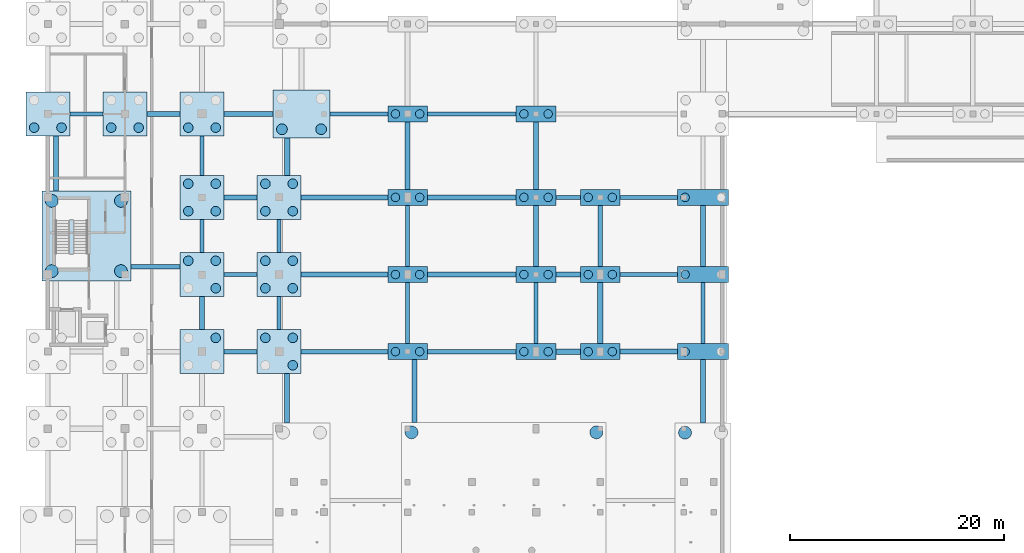
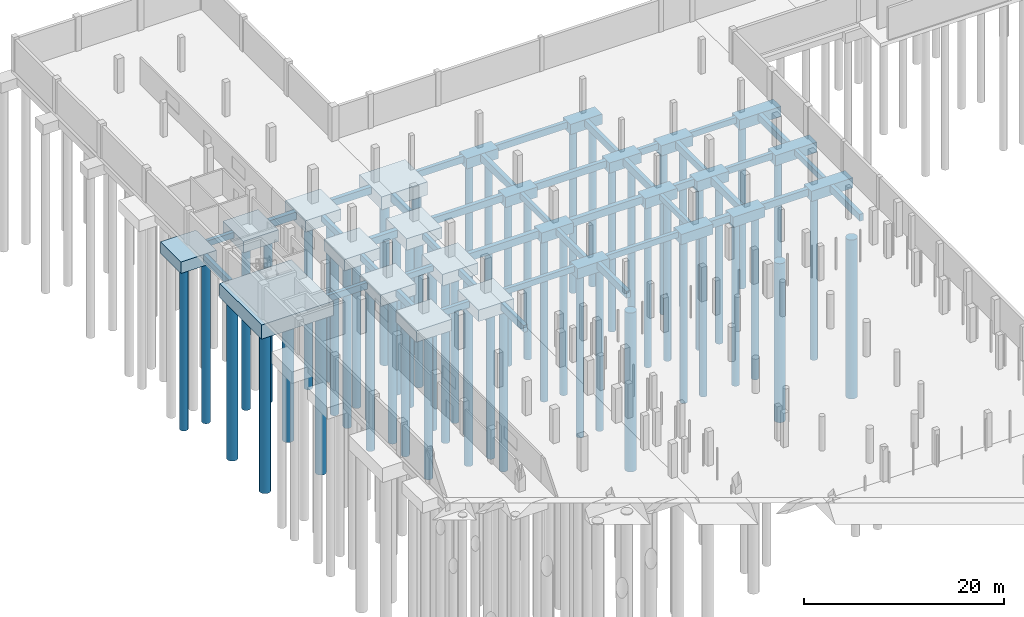
# One storey, part 3 of 34: 66 footings, 59 piles.
"""IFC4 building model written with IfcOpenShell, lengths in metres."""

from ifc_helpers import new_model, si_unit, direction, frame, origin, origin_2d, place, context, subcontext, project, spatial, rectangle, circle, extrude, material, material_profile, profile_set, type_object, element, save


model = new_model("IFC4")

# Units and contexts
model_context = context("Model", 3, precision=1e-05, world=origin(), true_north=direction((0.0, 1.0)))
body_context = subcontext(model_context, "Body", "Model", "MODEL_VIEW")
ifc_project = project(units=[si_unit("LENGTHUNIT", "METRE"), si_unit("AREAUNIT", "SQUARE_METRE"), si_unit("VOLUMEUNIT", "CUBIC_METRE"), si_unit("PLANEANGLEUNIT", "RADIAN"), si_unit("MASSUNIT", "GRAM", prefix="KILO")], contexts=[model_context])

# Site, building, storey
site_placement = place(None, origin())
site = spatial("IfcSite", under=ifc_project, at=site_placement, CompositionType="ELEMENT")
building_placement = place(site_placement, origin())
building = spatial("IfcBuilding", under=site, at=building_placement, Name="Vinh Khe Railworks Police Headquarters", CompositionType="ELEMENT")
storey_placement = place(building_placement, frame((0.0, 0.0, -4.199951171875)))
storey = spatial("IfcBuildingStorey", under=building, at=storey_placement, Name="B1", CompositionType="ELEMENT", Elevation=-4.199951171875)

# Piles
ifc_material = material(Name="Concrete C35/45 (B35)", Category="concrete")
ifc_material_profile_1 = material_profile(ifc_material, circle(Radius=0.5, at=origin_2d()), Name="BORED PILE D1000")
ifc_profile_set_1 = profile_set([ifc_material_profile_1], Name="Concrete C35/45 (B35)")
pile_type_1 = type_object("IfcPileType", Name="Bored Pile D1000", PredefinedType="BORED", material=ifc_profile_set_1)
for number, where, z_axis, x_axis, name in (
    (1, (22.469970703125, 94.570068359375, -1.949951171875), (0.0, 0.0, -1.0), (1.0, 0.0, 0.0), "Bored Pile BP100-173"),
    (2, (26.1298828125, 94.570068359375, -1.949951171875), (0.0, 0.0, -1.0), (1.0, 0.0, 0.0), "Bored Pile BP100-175"),
):
    element("IfcPile", number, at=place(storey_placement, frame(where, z_axis=z_axis, x_axis=x_axis)), inside=storey, type_object=pile_type_1, Name=name, PredefinedType="BORED", context=body_context, shape_type="SweptSolid", body=[
        extrude(circle(Radius=0.5, at=origin_2d()), origin(), (0.0, 0.0, 1.0), 19.60009765625),
    ])
ifc_material_profile_2 = material_profile(ifc_material, circle(Radius=0.60009765625, at=origin_2d()), Name="BORED PILE D1200")
ifc_profile_set_2 = profile_set([ifc_material_profile_2], Name="Concrete C35/45 (B35)")
pile_type_2 = type_object("IfcPileType", Name="Bored Pile D1200", PredefinedType="BORED", material=ifc_profile_set_2)
for number, where, z_axis, x_axis, name in (
    (3, (0.969970703125, 81.320068359375, -2.10009765625), (0.0, 0.0, -1.0), (1.0, 0.0, 0.0), "Bored Pile BP120-031"),
    (4, (0.969970703125, 87.8798828125, -2.10009765625), (0.0, 0.0, -1.0), (1.0, 0.0, 0.0), "Bored Pile BP120-032"),
    (5, (7.429931640625, 81.320068359375, -2.10009765625), (0.0, 0.0, -1.0), (1.0, 0.0, 0.0), "Bored Pile BP120-033"),
    (6, (7.429931640625, 87.8798828125, -2.10009765625), (0.0, 0.0, -1.0), (1.0, 0.0, 0.0), "Bored Pile BP120-034"),
    (7, (34.570068359375, 66.258056640625, -2.10009765625), (0.0, 0.0, -1.0), (1.0, 0.0, 0.0), "Bored Pile BP120-194"),
    (8, (51.830078125, 66.258056640625, -2.10009765625), (0.0, 0.0, -1.0), (1.0, 0.0, 0.0), "Bored Pile BP120-196"),
    (9, (60.1201171875, 66.22998046875, -2.10009765625), (0.0, 0.0, -1.0), (1.0, 0.0, 0.0), "Bored Pile BP120-242"),
):
    element("IfcPile", number, at=place(storey_placement, frame(where, z_axis=z_axis, x_axis=x_axis)), inside=storey, type_object=pile_type_2, Name=name, PredefinedType="BORED", context=body_context, shape_type="SweptSolid", body=[
        extrude(circle(Radius=0.60009765625, at=origin_2d()), origin(), (0.0, 0.0, 1.0), 19.449951171875),
    ])
ifc_material_profile_3 = material_profile(ifc_material, circle(Radius=0.39990234375, at=origin_2d()), Name="BORED PILE D800")
ifc_profile_set_3 = profile_set([ifc_material_profile_3], Name="Concrete C35/45 (B35)")
pile_type_3 = type_object("IfcPileType", Name="Bored Pile D800", PredefinedType="BORED", material=ifc_profile_set_3)
for number, where, z_axis, x_axis, name in (
    (10, (33.070068359375, 73.800048828125, -1.60009765625), (0.0, 0.0, -1.0), (1.0, 0.0, 0.0), "Bored Pile BP80-197"),
    (11, (35.330078125, 73.800048828125, -1.60009765625), (0.0, 0.0, -1.0), (1.0, 0.0, 0.0), "Bored Pile BP80-198"),
    (12, (33.070068359375, 81.0, -1.60009765625), (0.0, 0.0, -1.0), (1.0, 0.0, 0.0), "Bored Pile BP80-199"),
    (13, (35.330078125, 81.0, -1.60009765625), (0.0, 0.0, -1.0), (1.0, 0.0, 0.0), "Bored Pile BP80-200"),
    (14, (33.070068359375, 88.199951171875, -1.60009765625), (0.0, 0.0, -1.0), (1.0, 0.0, 0.0), "Bored Pile BP80-201"),
    (15, (35.330078125, 88.199951171875, -1.60009765625), (0.0, 0.0, -1.0), (1.0, 0.0, 0.0), "Bored Pile BP80-202"),
    (16, (33.070068359375, 96.0, -1.60009765625), (0.0, 0.0, -1.0), (1.0, 0.0, 0.0), "Bored Pile BP80-203"),
    (17, (35.330078125, 96.0, -1.60009765625), (0.0, 0.0, -1.0), (1.0, 0.0, 0.0), "Bored Pile BP80-204"),
    (18, (45.070068359375, 73.800048828125, -1.60009765625), (0.0, 0.0, -1.0), (1.0, 0.0, 0.0), "Bored Pile BP80-213"),
    (19, (47.330078125, 73.800048828125, -1.60009765625), (0.0, 0.0, -1.0), (1.0, 0.0, 0.0), "Bored Pile BP80-214"),
    (20, (45.070068359375, 81.0, -1.60009765625), (0.0, 0.0, -1.0), (1.0, 0.0, 0.0), "Bored Pile BP80-215"),
    (21, (47.330078125, 81.0, -1.60009765625), (0.0, 0.0, -1.0), (1.0, 0.0, 0.0), "Bored Pile BP80-216"),
    (22, (45.070068359375, 88.199951171875, -1.60009765625), (0.0, 0.0, -1.0), (1.0, 0.0, 0.0), "Bored Pile BP80-217"),
    (23, (47.330078125, 88.199951171875, -1.60009765625), (0.0, 0.0, -1.0), (1.0, 0.0, 0.0), "Bored Pile BP80-218"),
    (24, (45.070068359375, 96.0, -1.60009765625), (0.0, 0.0, -1.0), (1.0, 0.0, 0.0), "Bored Pile BP80-219"),
    (25, (47.330078125, 96.0, -1.60009765625), (0.0, 0.0, -1.0), (1.0, 0.0, 0.0), "Bored Pile BP80-220"),
    (26, (51.070068359375, 73.800048828125, -1.60009765625), (0.0, 0.0, -1.0), (1.0, 0.0, 0.0), "Bored Pile BP80-227"),
    (27, (53.330078125, 73.800048828125, -1.60009765625), (0.0, 0.0, -1.0), (1.0, 0.0, 0.0), "Bored Pile BP80-228"),
    (28, (51.070068359375, 81.0, -1.60009765625), (0.0, 0.0, -1.0), (1.0, 0.0, 0.0), "Bored Pile BP80-229"),
    (29, (53.330078125, 81.0, -1.60009765625), (0.0, 0.0, -1.0), (1.0, 0.0, 0.0), "Bored Pile BP80-230"),
    (30, (51.070068359375, 88.199951171875, -1.60009765625), (0.0, 0.0, -1.0), (1.0, 0.0, 0.0), "Bored Pile BP80-231"),
    (31, (53.330078125, 88.199951171875, -1.60009765625), (0.0, 0.0, -1.0), (1.0, 0.0, 0.0), "Bored Pile BP80-232"),
    (32, (60.1201171875, 73.800048828125, -1.60009765625), (0.0, 0.0, -1.0), (1.0, 0.0, 0.0), "Bored Pile BP80-245"),
    (33, (60.1201171875, 81.0, -1.60009765625), (0.0, 0.0, -1.0), (1.0, 0.0, 0.0), "Bored Pile BP80-247"),
    (34, (60.1201171875, 88.199951171875, -1.60009765625), (0.0, 0.0, -1.0), (1.0, 0.0, 0.0), "Bored Pile BP80-249"),
):
    element("IfcPile", number, at=place(storey_placement, frame(where, z_axis=z_axis, x_axis=x_axis)), inside=storey, type_object=pile_type_3, Name=name, PredefinedType="BORED", context=body_context, shape_type="SweptSolid", body=[
        extrude(circle(Radius=0.39990234375, at=origin_2d()), origin(), (0.0, 0.0, 1.0), 19.949951171875),
    ])
ifc_material_profile_4 = material_profile(ifc_material, circle(Radius=0.449951171875, at=origin_2d()), Name="BORED PILE D900")
ifc_profile_set_4 = profile_set([ifc_material_profile_4], Name="Concrete C35/45 (B35)")
pile_type_4 = type_object("IfcPileType", Name="Bored Pile D900", PredefinedType="BORED", material=ifc_profile_set_4)
for number, where, z_axis, x_axis, name in (
    (35, (-0.679931640625, 94.719970703125, -1.75), (0.0, 0.0, -1.0), (1.0, 0.0, 0.0), "Bored Pile BP90-035"),
    (36, (1.8798828125, 94.719970703125, -1.75), (0.0, 0.0, -1.0), (1.0, 0.0, 0.0), "Bored Pile BP90-037"),
    (37, (6.52001953125, 94.719970703125, -1.75), (0.0, 0.0, -1.0), (1.0, 0.0, 0.0), "Bored Pile BP90-075"),
    (38, (9.080078125, 94.719970703125, -1.75), (0.0, 0.0, -1.0), (1.0, 0.0, 0.0), "Bored Pile BP90-077"),
    (39, (16.280029296875, 75.080078125, -1.75), (0.0, 0.0, -1.0), (1.0, 0.0, 0.0), "Bored Pile BP90-122"),
    (40, (13.719970703125, 82.280029296875, -1.75), (0.0, 0.0, -1.0), (1.0, 0.0, 0.0), "Bored Pile BP90-124"),
    (41, (16.280029296875, 79.719970703125, -1.75), (0.0, 0.0, -1.0), (1.0, 0.0, 0.0), "Bored Pile BP90-125"),
    (42, (16.280029296875, 82.280029296875, -1.75), (0.0, 0.0, -1.0), (1.0, 0.0, 0.0), "Bored Pile BP90-126"),
    (43, (13.719970703125, 86.919921875, -1.75), (0.0, 0.0, -1.0), (1.0, 0.0, 0.0), "Bored Pile BP90-127"),
    (44, (13.719970703125, 89.47998046875, -1.75), (0.0, 0.0, -1.0), (1.0, 0.0, 0.0), "Bored Pile BP90-128"),
    (45, (16.280029296875, 86.919921875, -1.75), (0.0, 0.0, -1.0), (1.0, 0.0, 0.0), "Bored Pile BP90-129"),
    (46, (16.280029296875, 89.47998046875, -1.75), (0.0, 0.0, -1.0), (1.0, 0.0, 0.0), "Bored Pile BP90-130"),
    (47, (13.719970703125, 94.719970703125, -1.75), (0.0, 0.0, -1.0), (1.0, 0.0, 0.0), "Bored Pile BP90-131"),
    (48, (16.280029296875, 94.719970703125, -1.75), (0.0, 0.0, -1.0), (1.0, 0.0, 0.0), "Bored Pile BP90-133"),
    (49, (20.919921875, 75.080078125, -1.75), (0.0, 0.0, -1.0), (1.0, 0.0, 0.0), "Bored Pile BP90-162"),
    (50, (23.47998046875, 72.52001953125, -1.75), (0.0, 0.0, -1.0), (1.0, 0.0, 0.0), "Bored Pile BP90-163"),
    (51, (23.47998046875, 75.080078125, -1.75), (0.0, 0.0, -1.0), (1.0, 0.0, 0.0), "Bored Pile BP90-164"),
    (52, (20.919921875, 79.719970703125, -1.75), (0.0, 0.0, -1.0), (1.0, 0.0, 0.0), "Bored Pile BP90-165"),
    (53, (20.919921875, 82.280029296875, -1.75), (0.0, 0.0, -1.0), (1.0, 0.0, 0.0), "Bored Pile BP90-166"),
    (54, (23.47998046875, 79.719970703125, -1.75), (0.0, 0.0, -1.0), (1.0, 0.0, 0.0), "Bored Pile BP90-167"),
    (55, (23.47998046875, 82.280029296875, -1.75), (0.0, 0.0, -1.0), (1.0, 0.0, 0.0), "Bored Pile BP90-168"),
    (56, (20.919921875, 86.919921875, -1.75), (0.0, 0.0, -1.0), (1.0, 0.0, 0.0), "Bored Pile BP90-169"),
    (57, (20.919921875, 89.47998046875, -1.75), (0.0, 0.0, -1.0), (1.0, 0.0, 0.0), "Bored Pile BP90-170"),
    (58, (23.47998046875, 86.919921875, -1.75), (0.0, 0.0, -1.0), (1.0, 0.0, 0.0), "Bored Pile BP90-171"),
    (59, (23.47998046875, 89.47998046875, -1.75), (0.0, 0.0, -1.0), (1.0, 0.0, 0.0), "Bored Pile BP90-172"),
):
    element("IfcPile", number, at=place(storey_placement, frame(where, z_axis=z_axis, x_axis=x_axis)), inside=storey, type_object=pile_type_4, Name=name, PredefinedType="BORED", context=body_context, shape_type="SweptSolid", body=[
        extrude(circle(Radius=0.449951171875, at=origin_2d()), origin(), (0.0, 0.0, 1.0), 19.800048828125),
    ])

# Footings
ifc_material_profile_5 = material_profile(ifc_material, rectangle(XDim=0.39990234375, YDim=0.699951171875, at=origin_2d()), Name="RC 400x700")
ifc_profile_set_5 = profile_set([ifc_material_profile_5], Name="Concrete C35/45 (B35)")
footing_type_1 = type_object("IfcFootingType", Name="Ground Tie Beam 400x700", PredefinedType="FOOTING_BEAM", material=ifc_profile_set_5)
footing_1_placement = place(storey_placement, frame((2.64990234375, 96.0, -0.800048828125), z_axis=(1.0, 0.0, 0.0), x_axis=(0.0, 1.0, 0.0)))
element("IfcFooting", 60, at=footing_1_placement, inside=storey, type_object=footing_type_1, Name="Ground Tie Beam FTG-GB-B1-X019", PredefinedType="FOOTING_BEAM", context=body_context, shape_type="SweptSolid", body=[
    extrude(rectangle(XDim=0.39990234375, YDim=0.699951171875, at=origin_2d()), origin(), (0.0, 0.0, 1.0), 3.10009765625),
])
footing_2_placement = place(storey_placement, frame((17.050048828125, 81.0, -0.800048828125), z_axis=(1.0, 0.0, 0.0), x_axis=(0.0, 1.0, 0.0)))
element("IfcFooting", 61, at=footing_2_placement, inside=storey, type_object=footing_type_1, Name="Ground Tie Beam FTG-GB-B1-X069", PredefinedType="FOOTING_BEAM", context=body_context, shape_type="SweptSolid", body=[
    extrude(rectangle(XDim=0.39990234375, YDim=0.699951171875, at=origin_2d()), origin(), (0.0, 0.0, 1.0), 3.099853515625),
])
footing_3_placement = place(storey_placement, frame((15.0, 90.25, -0.800048828125), z_axis=(0.0, 1.0, 0.0), x_axis=(-1.0, 0.0, 0.0)))
element("IfcFooting", 62, at=footing_3_placement, inside=storey, type_object=footing_type_1, Name="Ground Tie Beam FTG-GB-B1-Y072", PredefinedType="FOOTING_BEAM", context=body_context, shape_type="SweptSolid", body=[
    extrude(rectangle(XDim=0.39990234375, YDim=0.699951171875, at=origin_2d()), origin(), (0.0, 0.0, 1.0), 3.699951171875),
])
footing_4_placement = place(storey_placement, frame((24.25, 73.800048828125, -0.800048828125), z_axis=(1.0, 0.0, 0.0), x_axis=(0.0, 1.0, 0.0)))
element("IfcFooting", 63, at=footing_4_placement, inside=storey, type_object=footing_type_1, Name="Ground Tie Beam FTG-GB-B1-X090", PredefinedType="FOOTING_BEAM", context=body_context, shape_type="SweptSolid", body=[
    extrude(rectangle(XDim=0.39990234375, YDim=0.699951171875, at=origin_2d()), origin(), (0.0, 0.0, 1.0), 8.10009765625),
])
footing_5_placement = place(storey_placement, frame((22.199951171875, 83.050048828125, -0.800048828125), z_axis=(0.0, 1.0, 0.0), x_axis=(-1.0, 0.0, 0.0)))
element("IfcFooting", 64, at=footing_5_placement, inside=storey, type_object=footing_type_1, Name="Ground Tie Beam FTG-GB-B1-Y093", PredefinedType="FOOTING_BEAM", context=body_context, shape_type="SweptSolid", body=[
    extrude(rectangle(XDim=0.39990234375, YDim=0.699951171875, at=origin_2d()), origin(), (0.0, 0.0, 1.0), 3.099853515625),
])
footing_6_placement = place(storey_placement, frame((36.050048828125, 73.800048828125, -0.800048828125), z_axis=(1.0, 0.0, 0.0), x_axis=(0.0, 1.0, 0.0)))
element("IfcFooting", 65, at=footing_6_placement, inside=storey, type_object=footing_type_1, Name="Ground Tie Beam FTG-GB-B1-X107", PredefinedType="FOOTING_BEAM", context=body_context, shape_type="SweptSolid", body=[
    extrude(rectangle(XDim=0.39990234375, YDim=0.699951171875, at=origin_2d()), origin(), (0.0, 0.0, 1.0), 8.300048828125),
])
for number, where, z_axis, x_axis, name in (
    (66, (34.199951171875, 81.75, -0.800048828125), (0.0, 1.0, 0.0), (-1.0, 0.0, 0.0), "Ground Tie Beam FTG-GB-B1-Y110"),
    (67, (46.199951171875, 74.550048828125, -0.800048828125), (0.0, 1.0, 0.0), (-1.0, 0.0, 0.0), "Ground Tie Beam FTG-GB-B1-Y123"),
):
    element("IfcFooting", number, at=place(storey_placement, frame(where, z_axis=z_axis, x_axis=x_axis)), inside=storey, type_object=footing_type_1, Name=name, PredefinedType="FOOTING_BEAM", context=body_context, shape_type="SweptSolid", body=[
        extrude(rectangle(XDim=0.39990234375, YDim=0.699951171875, at=origin_2d()), origin(), (0.0, 0.0, 1.0), 5.699951171875),
    ])
footing_7_placement = place(storey_placement, frame((54.050048828125, 88.199951171875, -0.800048828125), z_axis=(1.0, 0.0, 0.0), x_axis=(0.0, 1.0, 0.0)))
element("IfcFooting", 68, at=footing_7_placement, inside=storey, type_object=footing_type_1, Name="Ground Tie Beam FTG-GB-B1-X138", PredefinedType="FOOTING_BEAM", context=body_context, shape_type="SweptSolid", body=[
    extrude(rectangle(XDim=0.39990234375, YDim=0.699951171875, at=origin_2d()), origin(), (0.0, 0.0, 1.0), 5.349853515625),
])
footing_8_placement = place(storey_placement, frame((61.800048828125, 74.550048828125, -0.800048828125), z_axis=(0.0, 1.0, 0.0), x_axis=(-1.0, 0.0, 0.0)))
element("IfcFooting", 69, at=footing_8_placement, inside=storey, type_object=footing_type_1, Name="Ground Tie Beam FTG-GB-B1-Y142", PredefinedType="FOOTING_BEAM", context=body_context, shape_type="SweptSolid", body=[
    extrude(rectangle(XDim=0.39990234375, YDim=0.699951171875, at=origin_2d()), origin(), (0.0, 0.0, 1.0), 5.699951171875),
])
ifc_material_profile_6 = material_profile(ifc_material, rectangle(XDim=0.39990234375, YDim=0.800048828125, at=origin_2d()), Name="RC 400x800")
ifc_profile_set_6 = profile_set([ifc_material_profile_6], Name="Concrete C35/45 (B35)")
footing_type_2 = type_object("IfcFootingType", Name="Ground Tie Beam 400x800", PredefinedType="FOOTING_BEAM", material=ifc_profile_set_6)
footing_9_placement = place(storey_placement, frame((8.35009765625, 81.72509765625, -0.85009765625), z_axis=(1.0, 0.0, 0.0), x_axis=(0.0, 1.0, 0.0)))
element("IfcFooting", 70, at=footing_9_placement, inside=storey, type_object=footing_type_2, Name="Ground Tie Beam FTG-GB-B1-X017", PredefinedType="FOOTING_BEAM", context=body_context, shape_type="SweptSolid", body=[
    extrude(rectangle(XDim=0.39990234375, YDim=0.800048828125, at=origin_2d()), origin(), (0.0, 0.0, 1.0), 4.599853515625),
])
for number, where, z_axis, x_axis, name in (
    (71, (17.050048828125, 73.800048828125, -0.85009765625), (1.0, 0.0, 0.0), (0.0, 1.0, 0.0), "Ground Tie Beam FTG-GB-B1-X067"),
    (72, (15.0, 83.050048828125, -0.85009765625), (0.0, 1.0, 0.0), (-1.0, 0.0, 0.0), "Ground Tie Beam FTG-GB-B1-Y070"),
    (73, (22.199951171875, 75.85009765625, -0.85009765625), (0.0, 1.0, 0.0), (-1.0, 0.0, 0.0), "Ground Tie Beam FTG-GB-B1-Y091"),
):
    element("IfcFooting", number, at=place(storey_placement, frame(where, z_axis=z_axis, x_axis=x_axis)), inside=storey, type_object=footing_type_2, Name=name, PredefinedType="FOOTING_BEAM", context=body_context, shape_type="SweptSolid", body=[
        extrude(rectangle(XDim=0.39990234375, YDim=0.800048828125, at=origin_2d()), origin(), (0.0, 0.0, 1.0), 3.099853515625),
    ])
footing_10_placement = place(storey_placement, frame((26.949951171875, 96.0, -0.85009765625), z_axis=(1.0, 0.0, 0.0), x_axis=(0.0, 1.0, 0.0)))
element("IfcFooting", 74, at=footing_10_placement, inside=storey, type_object=footing_type_2, Name="Ground Tie Beam FTG-GB-B1-X096", PredefinedType="FOOTING_BEAM", context=body_context, shape_type="SweptSolid", body=[
    extrude(rectangle(XDim=0.39990234375, YDim=0.800048828125, at=origin_2d()), origin(), (0.0, 0.0, 1.0), 5.400146484375),
])
footing_11_placement = place(storey_placement, frame((34.199951171875, 74.550048828125, -0.85009765625), z_axis=(0.0, 1.0, 0.0), x_axis=(-1.0, 0.0, 0.0)))
element("IfcFooting", 75, at=footing_11_placement, inside=storey, type_object=footing_type_2, Name="Ground Tie Beam FTG-GB-B1-Y108", PredefinedType="FOOTING_BEAM", context=body_context, shape_type="SweptSolid", body=[
    extrude(rectangle(XDim=0.39990234375, YDim=0.800048828125, at=origin_2d()), origin(), (0.0, 0.0, 1.0), 5.699951171875),
])
footing_12_placement = place(storey_placement, frame((36.050048828125, 96.0, -0.85009765625), z_axis=(1.0, 0.0, 0.0), x_axis=(0.0, 1.0, 0.0)))
element("IfcFooting", 76, at=footing_12_placement, inside=storey, type_object=footing_type_2, Name="Ground Tie Beam FTG-GB-B1-X113", PredefinedType="FOOTING_BEAM", context=body_context, shape_type="SweptSolid", body=[
    extrude(rectangle(XDim=0.39990234375, YDim=0.800048828125, at=origin_2d()), origin(), (0.0, 0.0, 1.0), 8.300048828125),
])
footing_13_placement = place(storey_placement, frame((48.050048828125, 88.199951171875, -0.85009765625), z_axis=(1.0, 0.0, 0.0), x_axis=(0.0, 1.0, 0.0)))
element("IfcFooting", 77, at=footing_13_placement, inside=storey, type_object=footing_type_2, Name="Ground Tie Beam FTG-GB-B1-X126", PredefinedType="FOOTING_BEAM", context=body_context, shape_type="SweptSolid", body=[
    extrude(rectangle(XDim=0.39990234375, YDim=0.800048828125, at=origin_2d()), origin(), (0.0, 0.0, 1.0), 2.300048828125),
])
footing_14_placement = place(storey_placement, frame((54.050048828125, 81.0, -0.85009765625), z_axis=(1.0, 0.0, 0.0), x_axis=(0.0, 1.0, 0.0)))
element("IfcFooting", 78, at=footing_14_placement, inside=storey, type_object=footing_type_2, Name="Ground Tie Beam FTG-GB-B1-X136", PredefinedType="FOOTING_BEAM", context=body_context, shape_type="SweptSolid", body=[
    extrude(rectangle(XDim=0.39990234375, YDim=0.800048828125, at=origin_2d()), origin(), (0.0, 0.0, 1.0), 5.349853515625),
])
ifc_material_profile_7 = material_profile(ifc_material, rectangle(XDim=0.449951171875, YDim=0.85009765625, at=origin_2d()), Name="RC 450x850")
ifc_profile_set_7 = profile_set([ifc_material_profile_7], Name="Concrete C35/45 (B35)")
footing_type_3 = type_object("IfcFootingType", Name="Ground Tie Beam 450x850", PredefinedType="FOOTING_BEAM", material=ifc_profile_set_7)
footing_15_placement = place(storey_placement, frame((1.35009765625, 88.800048828125, -0.875), z_axis=(0.0, 1.0, 0.0), x_axis=(-1.0, 0.0, 0.0)))
element("IfcFooting", 79, at=footing_15_placement, inside=storey, type_object=footing_type_3, Name="Ground Tie Beam FTG-GB-B1-Y018", PredefinedType="FOOTING_BEAM", context=body_context, shape_type="SweptSolid", body=[
    extrude(rectangle(XDim=0.449951171875, YDim=0.85009765625, at=origin_2d()), origin(), (0.0, 0.0, 1.0), 5.14990234375),
])
footing_16_placement = place(storey_placement, frame((15.0, 75.85009765625, -0.875), z_axis=(0.0, 1.0, 0.0), x_axis=(-1.0, 0.0, 0.0)))
element("IfcFooting", 80, at=footing_16_placement, inside=storey, type_object=footing_type_3, Name="Ground Tie Beam FTG-GB-B1-Y068", PredefinedType="FOOTING_BEAM", context=body_context, shape_type="SweptSolid", body=[
    extrude(rectangle(XDim=0.449951171875, YDim=0.85009765625, at=origin_2d()), origin(), (0.0, 0.0, 1.0), 3.099853515625),
])
footing_17_placement = place(storey_placement, frame((17.050048828125, 96.0, -0.875), z_axis=(1.0, 0.0, 0.0), x_axis=(0.0, 1.0, 0.0)))
element("IfcFooting", 81, at=footing_17_placement, inside=storey, type_object=footing_type_3, Name="Ground Tie Beam FTG-GB-B1-X073", PredefinedType="FOOTING_BEAM", context=body_context, shape_type="SweptSolid", body=[
    extrude(rectangle(XDim=0.449951171875, YDim=0.85009765625, at=origin_2d()), origin(), (0.0, 0.0, 1.0), 4.599853515625),
])
footing_18_placement = place(storey_placement, frame((22.949951171875, 67.14990234375, -0.875), z_axis=(0.0, 1.0, 0.0), x_axis=(-1.0, 0.0, 0.0)))
element("IfcFooting", 82, at=footing_18_placement, inside=storey, type_object=footing_type_3, Name="Ground Tie Beam FTG-GB-B1-Y089", PredefinedType="FOOTING_BEAM", context=body_context, shape_type="SweptSolid", body=[
    extrude(rectangle(XDim=0.449951171875, YDim=0.85009765625, at=origin_2d()), origin(), (0.0, 0.0, 1.0), 4.60009765625),
])
footing_19_placement = place(storey_placement, frame((24.25, 88.199951171875, -0.875), z_axis=(1.0, 0.0, 0.0), x_axis=(0.0, 1.0, 0.0)))
element("IfcFooting", 83, at=footing_19_placement, inside=storey, type_object=footing_type_3, Name="Ground Tie Beam FTG-GB-B1-X094", PredefinedType="FOOTING_BEAM", context=body_context, shape_type="SweptSolid", body=[
    extrude(rectangle(XDim=0.449951171875, YDim=0.85009765625, at=origin_2d()), origin(), (0.0, 0.0, 1.0), 8.10009765625),
])
footing_20_placement = place(storey_placement, frame((34.85009765625, 67.177978515625, -0.875), z_axis=(0.0, 1.0, 0.0), x_axis=(-1.0, 0.0, 0.0)))
element("IfcFooting", 84, at=footing_20_placement, inside=storey, type_object=footing_type_3, Name="Ground Tie Beam FTG-GB-B1-Y106", PredefinedType="FOOTING_BEAM", context=body_context, shape_type="SweptSolid", body=[
    extrude(rectangle(XDim=0.449951171875, YDim=0.85009765625, at=origin_2d()), origin(), (0.0, 0.0, 1.0), 5.8720703125),
])
footing_21_placement = place(storey_placement, frame((36.050048828125, 88.199951171875, -0.875), z_axis=(1.0, 0.0, 0.0), x_axis=(0.0, 1.0, 0.0)))
element("IfcFooting", 85, at=footing_21_placement, inside=storey, type_object=footing_type_3, Name="Ground Tie Beam FTG-GB-B1-X111", PredefinedType="FOOTING_BEAM", context=body_context, shape_type="SweptSolid", body=[
    extrude(rectangle(XDim=0.449951171875, YDim=0.85009765625, at=origin_2d()), origin(), (0.0, 0.0, 1.0), 8.300048828125),
])
footing_22_placement = place(storey_placement, frame((48.050048828125, 81.0, -0.875), z_axis=(1.0, 0.0, 0.0), x_axis=(0.0, 1.0, 0.0)))
element("IfcFooting", 86, at=footing_22_placement, inside=storey, type_object=footing_type_3, Name="Ground Tie Beam FTG-GB-B1-X124", PredefinedType="FOOTING_BEAM", context=body_context, shape_type="SweptSolid", body=[
    extrude(rectangle(XDim=0.449951171875, YDim=0.85009765625, at=origin_2d()), origin(), (0.0, 0.0, 1.0), 2.300048828125),
])
footing_23_placement = place(storey_placement, frame((46.199951171875, 88.949951171875, -0.875), z_axis=(0.0, 1.0, 0.0), x_axis=(-1.0, 0.0, 0.0)))
element("IfcFooting", 87, at=footing_23_placement, inside=storey, type_object=footing_type_3, Name="Ground Tie Beam FTG-GB-B1-Y127", PredefinedType="FOOTING_BEAM", context=body_context, shape_type="SweptSolid", body=[
    extrude(rectangle(XDim=0.449951171875, YDim=0.85009765625, at=origin_2d()), origin(), (0.0, 0.0, 1.0), 6.300048828125),
])
footing_24_placement = place(storey_placement, frame((54.050048828125, 73.800048828125, -0.875), z_axis=(1.0, 0.0, 0.0), x_axis=(0.0, 1.0, 0.0)))
element("IfcFooting", 88, at=footing_24_placement, inside=storey, type_object=footing_type_3, Name="Ground Tie Beam FTG-GB-B1-X134", PredefinedType="FOOTING_BEAM", context=body_context, shape_type="SweptSolid", body=[
    extrude(rectangle(XDim=0.449951171875, YDim=0.85009765625, at=origin_2d()), origin(), (0.0, 0.0, 1.0), 5.349853515625),
])
footing_25_placement = place(storey_placement, frame((52.199951171875, 81.75, -0.875), z_axis=(0.0, 1.0, 0.0), x_axis=(-1.0, 0.0, 0.0)))
element("IfcFooting", 89, at=footing_25_placement, inside=storey, type_object=footing_type_3, Name="Ground Tie Beam FTG-GB-B1-Y137", PredefinedType="FOOTING_BEAM", context=body_context, shape_type="SweptSolid", body=[
    extrude(rectangle(XDim=0.449951171875, YDim=0.85009765625, at=origin_2d()), origin(), (0.0, 0.0, 1.0), 5.699951171875),
])
footing_26_placement = place(storey_placement, frame((61.800048828125, 67.14990234375, -0.875), z_axis=(0.0, 1.0, 0.0), x_axis=(-1.0, 0.0, 0.0)))
element("IfcFooting", 90, at=footing_26_placement, inside=storey, type_object=footing_type_3, Name="Ground Tie Beam FTG-GB-B1-Y141", PredefinedType="FOOTING_BEAM", context=body_context, shape_type="SweptSolid", body=[
    extrude(rectangle(XDim=0.449951171875, YDim=0.85009765625, at=origin_2d()), origin(), (0.0, 0.0, 1.0), 5.900146484375),
])
footing_27_placement = place(storey_placement, frame((61.800048828125, 81.75, -0.875), z_axis=(0.0, 1.0, 0.0), x_axis=(-1.0, 0.0, 0.0)))
element("IfcFooting", 91, at=footing_27_placement, inside=storey, type_object=footing_type_3, Name="Ground Tie Beam FTG-GB-B1-Y143", PredefinedType="FOOTING_BEAM", context=body_context, shape_type="SweptSolid", body=[
    extrude(rectangle(XDim=0.449951171875, YDim=0.85009765625, at=origin_2d()), origin(), (0.0, 0.0, 1.0), 5.699951171875),
])
ifc_material_profile_8 = material_profile(ifc_material, rectangle(XDim=0.5, YDim=0.89990234375, at=origin_2d()), Name="RC 500x900")
ifc_profile_set_8 = profile_set([ifc_material_profile_8], Name="Concrete C35/45 (B35)")
footing_type_4 = type_object("IfcFootingType", Name="Ground Tie Beam 500x900", PredefinedType="FOOTING_BEAM", material=ifc_profile_set_8)
for number, where, z_axis, x_axis, name in (
    (92, (9.85009765625, 96.0, -0.900146484375), (1.0, 0.0, 0.0), (0.0, 1.0, 0.0), "Ground Tie Beam FTG-GB-B1-X042"),
    (93, (17.050048828125, 88.199951171875, -0.900146484375), (1.0, 0.0, 0.0), (0.0, 1.0, 0.0), "Ground Tie Beam FTG-GB-B1-X071"),
):
    element("IfcFooting", number, at=place(storey_placement, frame(where, z_axis=z_axis, x_axis=x_axis)), inside=storey, type_object=footing_type_4, Name=name, PredefinedType="FOOTING_BEAM", context=body_context, shape_type="SweptSolid", body=[
        extrude(rectangle(XDim=0.5, YDim=0.89990234375, at=origin_2d()), origin(), (0.0, 0.0, 1.0), 3.099853515625),
    ])
footing_28_placement = place(storey_placement, frame((24.25, 81.0, -0.900146484375), z_axis=(1.0, 0.0, 0.0), x_axis=(0.0, 1.0, 0.0)))
element("IfcFooting", 94, at=footing_28_placement, inside=storey, type_object=footing_type_4, Name="Ground Tie Beam FTG-GB-B1-X092", PredefinedType="FOOTING_BEAM", context=body_context, shape_type="SweptSolid", body=[
    extrude(rectangle(XDim=0.5, YDim=0.89990234375, at=origin_2d()), origin(), (0.0, 0.0, 1.0), 8.10009765625),
])
footing_29_placement = place(storey_placement, frame((22.949951171875, 90.25, -0.900146484375), z_axis=(0.0, 1.0, 0.0), x_axis=(-1.0, 0.0, 0.0)))
element("IfcFooting", 95, at=footing_29_placement, inside=storey, type_object=footing_type_4, Name="Ground Tie Beam FTG-GB-B1-Y095", PredefinedType="FOOTING_BEAM", context=body_context, shape_type="SweptSolid", body=[
    extrude(rectangle(XDim=0.5, YDim=0.89990234375, at=origin_2d()), origin(), (0.0, 0.0, 1.0), 3.5),
])
footing_30_placement = place(storey_placement, frame((36.050048828125, 81.0, -0.900146484375), z_axis=(1.0, 0.0, 0.0), x_axis=(0.0, 1.0, 0.0)))
element("IfcFooting", 96, at=footing_30_placement, inside=storey, type_object=footing_type_4, Name="Ground Tie Beam FTG-GB-B1-X109", PredefinedType="FOOTING_BEAM", context=body_context, shape_type="SweptSolid", body=[
    extrude(rectangle(XDim=0.5, YDim=0.89990234375, at=origin_2d()), origin(), (0.0, 0.0, 1.0), 8.300048828125),
])
footing_31_placement = place(storey_placement, frame((34.199951171875, 88.949951171875, -0.900146484375), z_axis=(0.0, 1.0, 0.0), x_axis=(-1.0, 0.0, 0.0)))
element("IfcFooting", 97, at=footing_31_placement, inside=storey, type_object=footing_type_4, Name="Ground Tie Beam FTG-GB-B1-Y112", PredefinedType="FOOTING_BEAM", context=body_context, shape_type="SweptSolid", body=[
    extrude(rectangle(XDim=0.5, YDim=0.89990234375, at=origin_2d()), origin(), (0.0, 0.0, 1.0), 6.300048828125),
])
footing_32_placement = place(storey_placement, frame((48.050048828125, 73.800048828125, -0.900146484375), z_axis=(1.0, 0.0, 0.0), x_axis=(0.0, 1.0, 0.0)))
element("IfcFooting", 98, at=footing_32_placement, inside=storey, type_object=footing_type_4, Name="Ground Tie Beam FTG-GB-B1-X122", PredefinedType="FOOTING_BEAM", context=body_context, shape_type="SweptSolid", body=[
    extrude(rectangle(XDim=0.5, YDim=0.89990234375, at=origin_2d()), origin(), (0.0, 0.0, 1.0), 2.300048828125),
])
for number, where, z_axis, x_axis, name in (
    (99, (46.199951171875, 81.75, -0.900146484375), (0.0, 1.0, 0.0), (-1.0, 0.0, 0.0), "Ground Tie Beam FTG-GB-B1-Y125"),
    (100, (52.199951171875, 74.550048828125, -0.900146484375), (0.0, 1.0, 0.0), (-1.0, 0.0, 0.0), "Ground Tie Beam FTG-GB-B1-Y135"),
):
    element("IfcFooting", number, at=place(storey_placement, frame(where, z_axis=z_axis, x_axis=x_axis)), inside=storey, type_object=footing_type_4, Name=name, PredefinedType="FOOTING_BEAM", context=body_context, shape_type="SweptSolid", body=[
        extrude(rectangle(XDim=0.5, YDim=0.89990234375, at=origin_2d()), origin(), (0.0, 0.0, 1.0), 5.699951171875),
    ])
footing_type_5 = type_object("IfcFootingType", Name="Pile Cap 3700x1500x1250", PredefinedType="PILE_CAP", material=ifc_material)
for number, where, z_axis, x_axis, name in (
    (101, (34.199951171875, 73.800048828125, -1.699951171875), (0.0, 0.0, 1.0), (1.0, 0.0, 0.0), "Pile Cap PC-058"),
    (102, (34.199951171875, 81.0, -1.699951171875), (0.0, 0.0, 1.0), (1.0, 0.0, 0.0), "Pile Cap PC-059"),
    (103, (34.199951171875, 88.199951171875, -1.699951171875), (0.0, 0.0, 1.0), (1.0, 0.0, 0.0), "Pile Cap PC-060"),
    (104, (34.199951171875, 96.0, -1.699951171875), (0.0, 0.0, 1.0), (1.0, 0.0, 0.0), "Pile Cap PC-061"),
    (105, (46.199951171875, 73.800048828125, -1.699951171875), (0.0, 0.0, 1.0), (1.0, 0.0, 0.0), "Pile Cap PC-066"),
    (106, (46.199951171875, 81.0, -1.699951171875), (0.0, 0.0, 1.0), (1.0, 0.0, 0.0), "Pile Cap PC-067"),
    (107, (46.199951171875, 88.199951171875, -1.699951171875), (0.0, 0.0, 1.0), (1.0, 0.0, 0.0), "Pile Cap PC-068"),
    (108, (46.199951171875, 96.0, -1.699951171875), (0.0, 0.0, 1.0), (1.0, 0.0, 0.0), "Pile Cap PC-069"),
    (109, (52.199951171875, 73.800048828125, -1.699951171875), (0.0, 0.0, 1.0), (1.0, 0.0, 0.0), "Pile Cap PC-073"),
    (110, (52.199951171875, 81.0, -1.699951171875), (0.0, 0.0, 1.0), (1.0, 0.0, 0.0), "Pile Cap PC-074"),
    (111, (52.199951171875, 88.199951171875, -1.699951171875), (0.0, 0.0, 1.0), (1.0, 0.0, 0.0), "Pile Cap PC-075"),
):
    element("IfcFooting", number, at=place(storey_placement, frame(where, z_axis=z_axis, x_axis=x_axis)), inside=storey, type_object=footing_type_5, Name=name, PredefinedType="PILE_CAP", context=body_context, shape_type="SweptSolid", body=[
        extrude(rectangle(XDim=3.699951171875, YDim=1.5, at=origin_2d()), origin(), (0.0, 0.0, 1.0), 1.25),
    ])
footing_type_6 = type_object("IfcFootingType", Name="Pile Cap 4100x4100x1400", PredefinedType="PILE_CAP", material=ifc_material)
for number, where, z_axis, x_axis, name in (
    (112, (0.60009765625, 96.0, -1.85009765625), (0.0, 0.0, 1.0), (1.0, 0.0, 0.0), "Pile Cap PC-010"),
    (113, (7.800048828125, 96.0, -1.85009765625), (0.0, 0.0, 1.0), (1.0, 0.0, 0.0), "Pile Cap PC-022"),
    (114, (15.0, 73.800048828125, -1.85009765625), (0.0, 0.0, 1.0), (1.0, 0.0, 0.0), "Pile Cap PC-035"),
    (115, (15.0, 81.0, -1.85009765625), (0.0, 0.0, 1.0), (1.0, 0.0, 0.0), "Pile Cap PC-036"),
    (116, (15.0, 88.199951171875, -1.85009765625), (0.0, 0.0, 1.0), (1.0, 0.0, 0.0), "Pile Cap PC-037"),
    (117, (15.0, 96.0, -1.85009765625), (0.0, 0.0, 1.0), (1.0, 0.0, 0.0), "Pile Cap PC-038"),
    (118, (22.199951171875, 73.800048828125, -1.85009765625), (0.0, 0.0, 1.0), (1.0, 0.0, 0.0), "Pile Cap PC-047"),
    (119, (22.199951171875, 81.0, -1.85009765625), (0.0, 0.0, 1.0), (1.0, 0.0, 0.0), "Pile Cap PC-048"),
    (120, (22.199951171875, 88.199951171875, -1.85009765625), (0.0, 0.0, 1.0), (1.0, 0.0, 0.0), "Pile Cap PC-049"),
):
    element("IfcFooting", number, at=place(storey_placement, frame(where, z_axis=z_axis, x_axis=x_axis)), inside=storey, type_object=footing_type_6, Name=name, PredefinedType="PILE_CAP", context=body_context, shape_type="SweptSolid", body=[
        extrude(rectangle(XDim=4.10009765625, YDim=4.10009765625, at=origin_2d()), origin(), (0.0, 0.0, 1.0), 1.39990234375),
    ])
footing_type_7 = type_object("IfcFootingType", Name="Pile Cap 4800x1500x1250", PredefinedType="PILE_CAP", material=ifc_material)
for number, where, z_axis, x_axis, name in (
    (121, (61.800048828125, 73.800048828125, -1.699951171875), (0.0, 0.0, 1.0), (1.0, 0.0, 0.0), "Pile Cap PC-079"),
    (122, (61.800048828125, 81.0, -1.699951171875), (0.0, 0.0, 1.0), (1.0, 0.0, 0.0), "Pile Cap PC-080"),
    (123, (61.800048828125, 88.199951171875, -1.699951171875), (0.0, 0.0, 1.0), (1.0, 0.0, 0.0), "Pile Cap PC-081"),
):
    element("IfcFooting", number, at=place(storey_placement, frame(where, z_axis=z_axis, x_axis=x_axis)), inside=storey, type_object=footing_type_7, Name=name, PredefinedType="PILE_CAP", context=body_context, shape_type="SweptSolid", body=[
        extrude(rectangle(XDim=4.800048828125, YDim=1.5, at=origin_2d()), origin(), (0.0, 0.0, 1.0), 1.25),
    ])
footing_type_8 = type_object("IfcFootingType", Name="Pile Cap 5300x4500x1600", PredefinedType="PILE_CAP", material=ifc_material)
footing_33_placement = place(storey_placement, frame((24.300048828125, 96.0, -2.050048828125), z_axis=(0.0, 0.0, 1.0), x_axis=(1.0, 0.0, 0.0)))
element("IfcFooting", 124, at=footing_33_placement, inside=storey, type_object=footing_type_8, Name="Pile Cap PC-050", PredefinedType="PILE_CAP", context=body_context, shape_type="SweptSolid", body=[
    extrude(rectangle(XDim=5.300048828125, YDim=4.5, at=origin_2d()), origin(), (0.0, 0.0, 1.0), 1.60009765625),
])
footing_type_9 = type_object("IfcFootingType", Name="Pile Cap 8300x8400x1750", PredefinedType="PILE_CAP", material=ifc_material)
footing_34_placement = place(storey_placement, frame((4.199951171875, 84.60009765625, -2.199951171875), z_axis=(0.0, 0.0, 1.0), x_axis=(1.0, 0.0, 0.0)))
element("IfcFooting", 125, at=footing_34_placement, inside=storey, type_object=footing_type_9, Name="Pile Cap PC-009", PredefinedType="PILE_CAP", context=body_context, shape_type="SweptSolid", body=[
    extrude(rectangle(XDim=8.300048828125, YDim=8.39990234375, at=origin_2d()), origin(), (0.0, 0.0, 1.0), 1.75),
])

save(model, "model.ifc")
